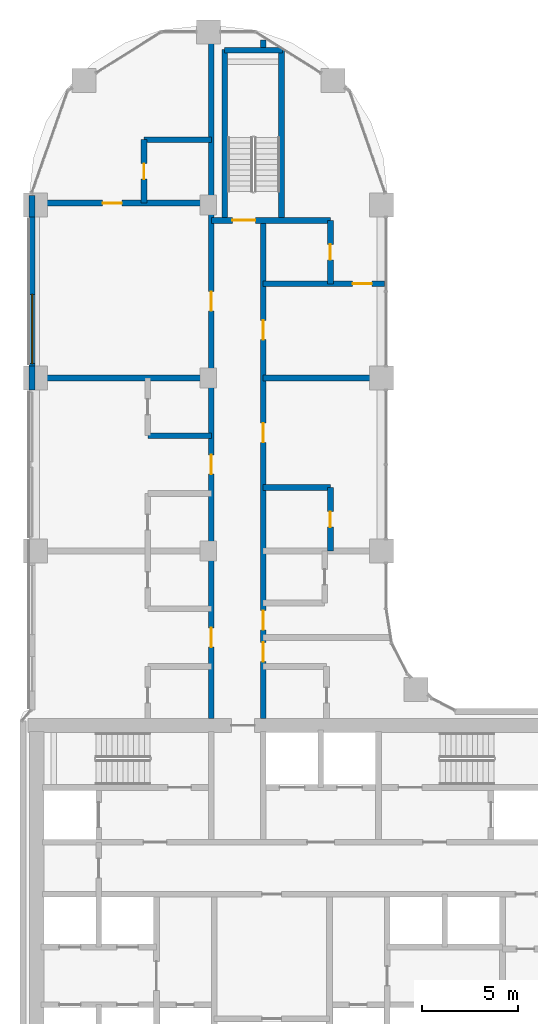
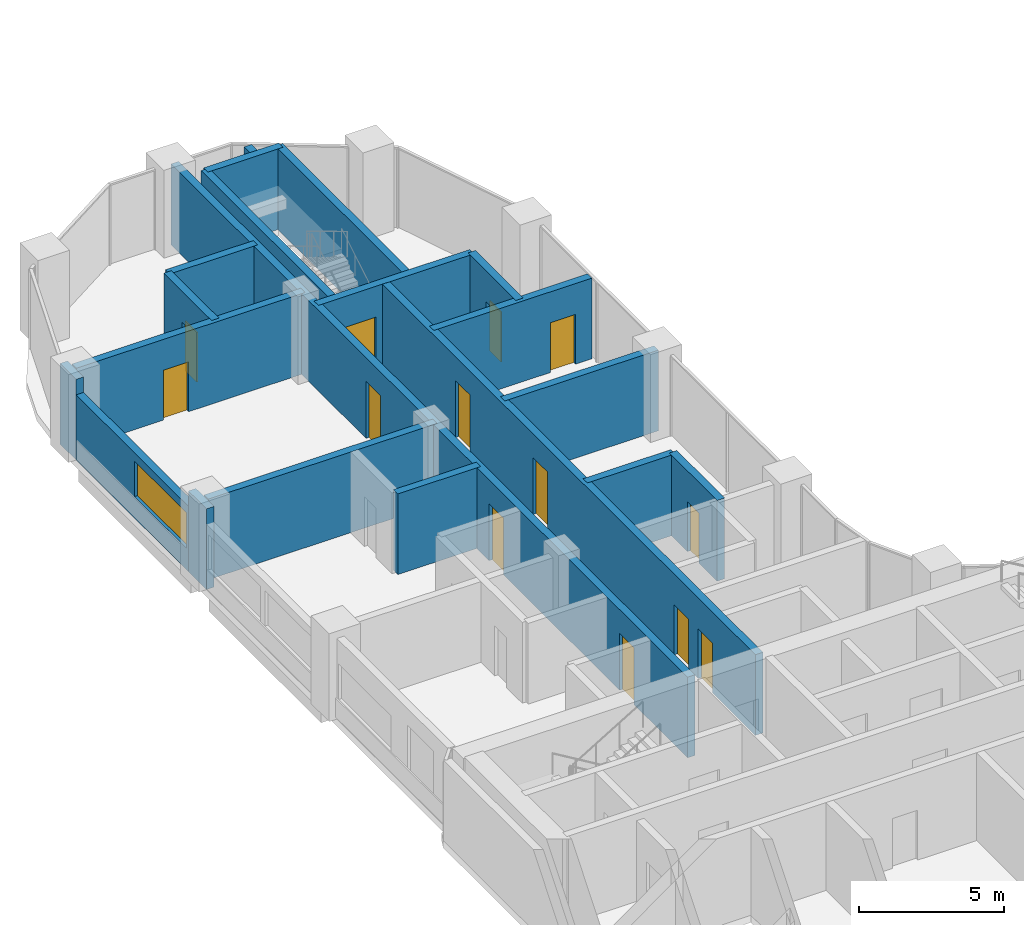
# One storey, part 22 of 33: 20 walls, 13 doors, 1 window, 14 openings.
"""IFC4 building model written with IfcOpenShell, lengths in metres."""

from ifc_helpers import new_model, si_unit, direction, frame, frame_2d, origin, place, context, subcontext, project, spatial, rectangle, extrude, material, layer, layer_set, type_object, element, fill, save


model = new_model("IFC4")

# Units and contexts
model_context = context("Model", 3, precision=1e-05, world=origin(), true_north=direction((0.0, 1.0)))
body_context = subcontext(model_context, "Body", "Model", "MODEL_VIEW")
ifc_project = project(units=[si_unit("LENGTHUNIT", "METRE"), si_unit("AREAUNIT", "SQUARE_METRE"), si_unit("VOLUMEUNIT", "CUBIC_METRE"), si_unit("PLANEANGLEUNIT", "RADIAN"), si_unit("MASSUNIT", "GRAM", prefix="KILO")], contexts=[model_context])

# Site, building, storey
site_placement = place(None, origin())
site = spatial("IfcSite", under=ifc_project, at=site_placement, CompositionType="ELEMENT")
building_placement = place(site_placement, origin())
building = spatial("IfcBuilding", under=site, at=building_placement, Name="Ogive Portal Towers", CompositionType="ELEMENT")
storey_placement = place(building_placement, frame((0.0, 0.0, 101.89990234375)))
storey = spatial("IfcBuildingStorey", under=building, at=storey_placement, Name="L24", CompositionType="ELEMENT", Elevation=101.89990234375)

# Wall
ifc_material_1 = material(Name="Limestone cladding on lightweight block wall", Category="masonry")
ifc_layer_1 = layer(ifc_material_1, 0.300048828125)
ifc_layer_set_1 = layer_set([ifc_layer_1], Name="EXTERNAL WALL 300 STONE")
wall_type_1 = type_object("IfcWallType", Name="EXTERNAL WALL 300 STONE", PredefinedType="SOLIDWALL", material=ifc_layer_set_1)
wall_1_placement = place(storey_placement, frame((31.330078125, 66.986328125, 0.0), z_axis=(0.0, 0.0, 1.0), x_axis=(0.0, -1.0, 0.0)))
element("IfcWall", 1, at=wall_1_placement, inside=storey, type_object=wall_type_1, Name="A:L24:f12:r0:wall", PredefinedType="SOLIDWALL", context=body_context, shape_type="SweptSolid", body=[
    extrude(rectangle(XDim=1.111328125, YDim=0.300048828125, at=frame_2d((0.5556640625, 0.0))), origin(), (0.0, 0.0, 1.0), 3.400146484375),
])

# Wall, opening, window
wall_2_placement = place(storey_placement, frame((31.330078125, 65.875, 0.0), z_axis=(0.0, 0.0, 1.0), x_axis=(0.0, -1.0, 0.0)))
wall_2 = element("IfcWall", 2, at=wall_2_placement, inside=storey, type_object=wall_type_1, Name="A:L24:f12:r0:wall1", PredefinedType="SOLIDWALL", context=body_context, shape_type="SweptSolid", body=[
    extrude(rectangle(XDim=7.75, YDim=0.300048828125, at=frame_2d((3.875, 0.0))), origin(), (0.0, 0.0, 1.0), 2.75),
])
opening_1_placement = place(wall_2_placement, frame((4.02490234375, 0.0, 0.89990234375)))
opening_1 = element("IfcOpeningElement", 3, at=opening_1_placement, cuts=wall_2, Name="Opening WN12", PredefinedType="OPENING", context=body_context, shape_type="SweptSolid", body=[
    extrude(rectangle(XDim=3.60009765625, YDim=1.5, at=frame_2d((1.800048828125, 0.75))), frame((0.0, 0.16015625, 0.0), z_axis=(0.0, -1.0, 0.0), x_axis=(1.0, 0.0, 0.0)), (0.0, 0.0, 1.0), 0.320068359375),
])
ifc_material_2 = material(Name="Glass, clear low-iron insulated glazing", Category="glass")
window_type = type_object("IfcWindowType", Name="WINDOW RIBBON 3600x1500", PartitioningType="TRIPLE_PANEL_VERTICAL", PredefinedType="WINDOW", material=ifc_material_2)
window_placement = place(opening_1_placement, origin())
window = element("IfcWindow", 4, at=window_placement, inside=storey, type_object=window_type, Name="A:L24:f12:r0:w1", OverallHeight=1.5, OverallWidth=3.60009765625, PartitioningType="SINGLE_PANEL", PredefinedType="WINDOW", context=body_context, shape_type="SweptSolid", body=[
    extrude(rectangle(XDim=3.60009765625, YDim=1.5, at=frame_2d((1.800048828125, 0.75))), frame((0.0, 0.030029296875, 0.0), z_axis=(0.0, -1.0, 0.0), x_axis=(1.0, 0.0, 0.0)), (0.0, 0.0, 1.0), 0.06005859375),
])
fill(opening_1, window)

# Wall
wall_3_placement = place(storey_placement, frame((31.330078125, 58.125, 0.0), z_axis=(0.0, 0.0, 1.0), x_axis=(0.0, -1.0, 0.0)))
element("IfcWall", 5, at=wall_3_placement, inside=storey, type_object=wall_type_1, Name="A:L24:f12:r0:wall2", PredefinedType="SOLIDWALL", context=body_context, shape_type="SweptSolid", body=[
    extrude(rectangle(XDim=1.25, YDim=0.300048828125, at=frame_2d((0.625, 0.0))), origin(), (0.0, 0.0, 1.0), 3.400146484375),
])

# Wall, opening, door
ifc_material_3 = material(Name="Concrete C50/60", Category="concrete")
ifc_layer_2 = layer(ifc_material_3, 0.300048828125)
ifc_layer_set_2 = layer_set([ifc_layer_2], Name="STAIR WALL 300 C50")
wall_type_2 = type_object("IfcWallType", Name="STAIR WALL 300 C50", PredefinedType="SHEAR", material=ifc_layer_set_2)
wall_4_placement = place(storey_placement, frame((40.64990234375, 65.699951171875, 0.0), z_axis=(0.0, 0.0, 1.0), x_axis=(1.0, 0.0, 0.0)))
wall_4 = element("IfcWall", 6, at=wall_4_placement, inside=storey, type_object=wall_type_2, Name="Stair wall ST-A3 L24", PredefinedType="SHEAR", context=body_context, shape_type="SweptSolid", body=[
    extrude(rectangle(XDim=6.2001953125, YDim=0.300048828125, at=frame_2d((3.10009765625, 0.0))), origin(), (0.0, 0.0, 1.0), 3.400146484375),
])
opening_2_placement = place(wall_4_placement, frame((1.10009765625, 0.0, 0.0)))
opening_2 = element("IfcOpeningElement", 7, at=opening_2_placement, cuts=wall_4, Name="Opening D08-063", PredefinedType="OPENING", context=body_context, shape_type="SweptSolid", body=[
    extrude(rectangle(XDim=1.199951171875, YDim=2.10009765625, at=frame_2d((0.60009765625, 1.050048828125))), frame((0.0, 0.16015625, 0.0), z_axis=(0.0, -1.0, 0.0), x_axis=(1.0, 0.0, 0.0)), (0.0, 0.0, 1.0), 0.320068359375),
])
ifc_material_4 = material(Name="Steel fire door", Category="steel")
door_type_1 = type_object("IfcDoorType", Name="DT-STAIR-1200x2100-FD90S", OperationType="SINGLE_SWING_LEFT", PredefinedType="DOOR", material=ifc_material_4)
door_1_placement = place(opening_2_placement, origin())
door_1 = element("IfcDoor", 8, at=door_1_placement, inside=storey, type_object=door_type_1, Name="Door D08-063", OperationType="SINGLE_SWING_RIGHT", OverallHeight=2.10009765625, OverallWidth=1.199951171875, PredefinedType="DOOR", context=body_context, shape_type="SweptSolid", body=[
    extrude(rectangle(XDim=1.199951171875, YDim=2.10009765625, at=frame_2d((0.60009765625, 1.050048828125))), frame((0.0, 0.02490234375, 0.0), z_axis=(0.0, -1.0, 0.0), x_axis=(1.0, 0.0, 0.0)), (0.0, 0.0, 1.0), 0.050048828125),
])
fill(opening_2, door_1)

# Walls
wall_5_placement = place(storey_placement, frame((41.35009765625, 74.550048828125, 0.0), z_axis=(0.0, 0.0, 1.0), x_axis=(1.0, 0.0, 0.0)))
element("IfcWall", 9, at=wall_5_placement, inside=storey, type_object=wall_type_2, Name="Stair wall ST-A3 L24", PredefinedType="SHEAR", context=body_context, shape_type="SweptSolid", body=[
    extrude(rectangle(XDim=3.0, YDim=0.300048828125, at=frame_2d((1.5, 0.0))), origin(), (0.0, 0.0, 1.0), 3.400146484375),
])
wall_6_placement = place(storey_placement, frame((41.35009765625, 65.75, 0.0), z_axis=(0.0, 0.0, 1.0), x_axis=(0.0, 1.0, 0.0)))
element("IfcWall", 10, at=wall_6_placement, inside=storey, type_object=wall_type_2, Name="Stair wall ST-A3 L24", PredefinedType="SHEAR", context=body_context, shape_type="SweptSolid", body=[
    extrude(rectangle(XDim=8.85009765625, YDim=0.300048828125, at=frame_2d((4.425048828125, 0.0))), origin(), (0.0, 0.0, 1.0), 3.400146484375),
])
wall_7_placement = place(storey_placement, frame((44.300048828125, 65.699951171875, 0.0), z_axis=(0.0, 0.0, 1.0), x_axis=(0.0, 1.0, 0.0)))
element("IfcWall", 11, at=wall_7_placement, inside=storey, type_object=wall_type_2, Name="Stair wall ST-A3 L24", PredefinedType="SHEAR", context=body_context, shape_type="SweptSolid", body=[
    extrude(rectangle(XDim=8.900146484375, YDim=0.300048828125, at=frame_2d((4.4501953125, 0.0))), origin(), (0.0, 0.0, 1.0), 3.400146484375),
])
ifc_material_5 = material(Name="Gypsum board partition on steel studs", Category="steel")
ifc_layer_3 = layer(ifc_material_5, 0.300048828125)
ifc_layer_set_3 = layer_set([ifc_layer_3], Name="WT-PART-300-EI 60")
wall_type_3 = type_object("IfcWallType", Name="WT-PART-300-EI 60", PredefinedType="PARTITIONING", material=ifc_layer_set_3)
wall_8_placement = place(storey_placement, frame((43.35009765625, 51.800048828125, 0.0), z_axis=(0.0, 0.0, 1.0), x_axis=(1.0, 0.0, 0.0)))
element("IfcWall", 12, at=wall_8_placement, inside=storey, type_object=wall_type_3, Name="Wall L24:w021", PredefinedType="PARTITIONING", context=body_context, shape_type="SweptSolid", body=[
    extrude(rectangle(XDim=3.5, YDim=0.300048828125, at=frame_2d((1.75, 0.0))), origin(), (0.0, 0.0, 1.0), 3.400146484375),
])
wall_9_placement = place(storey_placement, frame((37.35009765625, 54.5, 0.0), z_axis=(0.0, 0.0, 1.0), x_axis=(1.0, 0.0, 0.0)))
element("IfcWall", 13, at=wall_9_placement, inside=storey, type_object=wall_type_3, Name="Wall L24:w022", PredefinedType="PARTITIONING", context=body_context, shape_type="SweptSolid", body=[
    extrude(rectangle(XDim=3.2998046875, YDim=0.300048828125, at=frame_2d((1.64990234375, 0.0))), origin(), (0.0, 0.0, 1.0), 3.400146484375),
])
wall_10_placement = place(storey_placement, frame((31.530029296875, 57.5, 0.0), z_axis=(0.0, 0.0, 1.0), x_axis=(1.0, 0.0, 0.0)))
element("IfcWall", 14, at=wall_10_placement, inside=storey, type_object=wall_type_3, Name="Wall L24:w023", PredefinedType="PARTITIONING", context=body_context, shape_type="SweptSolid", body=[
    extrude(rectangle(XDim=9.119873046875, YDim=0.300048828125, at=frame_2d((4.56005859375, 0.0))), origin(), (0.0, 0.0, 1.0), 3.400146484375),
])
wall_11_placement = place(storey_placement, frame((43.35009765625, 57.5, 0.0), z_axis=(0.0, 0.0, 1.0), x_axis=(1.0, 0.0, 0.0)))
element("IfcWall", 15, at=wall_11_placement, inside=storey, type_object=wall_type_3, Name="Wall L24:w024", PredefinedType="PARTITIONING", context=body_context, shape_type="SweptSolid", body=[
    extrude(rectangle(XDim=6.119873046875, YDim=0.300048828125, at=frame_2d((3.06005859375, 0.0))), origin(), (0.0, 0.0, 1.0), 3.400146484375),
])

# Wall, opening, door
wall_12_placement = place(storey_placement, frame((43.35009765625, 62.39990234375, 0.0), z_axis=(0.0, 0.0, 1.0), x_axis=(1.0, 0.0, 0.0)))
wall_12 = element("IfcWall", 16, at=wall_12_placement, inside=storey, type_object=wall_type_3, Name="Wall L24:w025", PredefinedType="PARTITIONING", context=body_context, shape_type="SweptSolid", body=[
    extrude(rectangle(XDim=6.2998046875, YDim=0.300048828125, at=frame_2d((3.14990234375, 0.0))), origin(), (0.0, 0.0, 1.0), 3.400146484375),
])
opening_3_placement = place(wall_12_placement, frame((4.64990234375, 0.0, 0.0)))
opening_3 = element("IfcOpeningElement", 17, at=opening_3_placement, cuts=wall_12, Name="Opening D08-054", PredefinedType="OPENING", context=body_context, shape_type="SweptSolid", body=[
    extrude(rectangle(XDim=1.0, YDim=2.10009765625, at=frame_2d((0.5, 1.050048828125))), frame((0.0, 0.16015625, 0.0), z_axis=(0.0, -1.0, 0.0), x_axis=(1.0, 0.0, 0.0)), (0.0, 0.0, 1.0), 0.320068359375),
])
door_type_2 = type_object("IfcDoorType", Name="DT-ENTRY-1000x2100-FD60S", OperationType="SINGLE_SWING_LEFT", PredefinedType="DOOR", material=ifc_material_4)
door_2_placement = place(opening_3_placement, origin())
door_2 = element("IfcDoor", 18, at=door_2_placement, inside=storey, type_object=door_type_2, Name="Door D08-054", OperationType="SINGLE_SWING_RIGHT", OverallHeight=2.10009765625, OverallWidth=1.0, PredefinedType="DOOR", context=body_context, shape_type="SweptSolid", body=[
    extrude(rectangle(XDim=1.0, YDim=2.10009765625, at=frame_2d((0.5, 1.050048828125))), frame((0.0, 0.02490234375, 0.0), z_axis=(0.0, -1.0, 0.0), x_axis=(1.0, 0.0, 0.0)), (0.0, 0.0, 1.0), 0.050048828125),
])
fill(opening_3, door_2)

wall_13_placement = place(storey_placement, frame((31.530029296875, 66.60009765625, 0.0), z_axis=(0.0, 0.0, 1.0), x_axis=(1.0, 0.0, 0.0)))
wall_13 = element("IfcWall", 19, at=wall_13_placement, inside=storey, type_object=wall_type_3, Name="Wall L24:w027", PredefinedType="PARTITIONING", context=body_context, shape_type="SweptSolid", body=[
    extrude(rectangle(XDim=9.119873046875, YDim=0.300048828125, at=frame_2d((4.56005859375, 0.0))), origin(), (0.0, 0.0, 1.0), 3.400146484375),
])
opening_4_placement = place(wall_13_placement, frame((3.469970703125, 0.0, 0.0)))
opening_4 = element("IfcOpeningElement", 20, at=opening_4_placement, cuts=wall_13, Name="Opening D08-057", PredefinedType="OPENING", context=body_context, shape_type="SweptSolid", body=[
    extrude(rectangle(XDim=1.0, YDim=2.10009765625, at=frame_2d((0.5, 1.050048828125))), frame((0.0, 0.16015625, 0.0), z_axis=(0.0, -1.0, 0.0), x_axis=(1.0, 0.0, 0.0)), (0.0, 0.0, 1.0), 0.320068359375),
])
door_3_placement = place(opening_4_placement, origin())
door_3 = element("IfcDoor", 21, at=door_3_placement, inside=storey, type_object=door_type_2, Name="Door D08-057", OperationType="SINGLE_SWING_RIGHT", OverallHeight=2.10009765625, OverallWidth=1.0, PredefinedType="DOOR", context=body_context, shape_type="SweptSolid", body=[
    extrude(rectangle(XDim=1.0, YDim=2.10009765625, at=frame_2d((0.5, 1.050048828125))), frame((0.0, 0.02490234375, 0.0), z_axis=(0.0, -1.0, 0.0), x_axis=(1.0, 0.0, 0.0)), (0.0, 0.0, 1.0), 0.050048828125),
])
fill(opening_4, door_3)

# Wall
wall_14_placement = place(storey_placement, frame((37.14990234375, 69.89990234375, 0.0), z_axis=(0.0, 0.0, 1.0), x_axis=(1.0, 0.0, 0.0)))
element("IfcWall", 22, at=wall_14_placement, inside=storey, type_object=wall_type_3, Name="Wall L24:w028", PredefinedType="PARTITIONING", context=body_context, shape_type="SweptSolid", body=[
    extrude(rectangle(XDim=3.5, YDim=0.300048828125, at=frame_2d((1.75, 0.0))), origin(), (0.0, 0.0, 1.0), 3.400146484375),
])

# Wall, opening, door
wall_15_placement = place(storey_placement, frame((37.14990234375, 66.60009765625, 0.0), z_axis=(0.0, 0.0, 1.0), x_axis=(0.0, 1.0, 0.0)))
wall_15 = element("IfcWall", 23, at=wall_15_placement, inside=storey, type_object=wall_type_3, Name="Wall L24:w030", PredefinedType="PARTITIONING", context=body_context, shape_type="SweptSolid", body=[
    extrude(rectangle(XDim=3.2998046875, YDim=0.300048828125, at=frame_2d((1.64990234375, 0.0))), origin(), (0.0, 0.0, 1.0), 3.400146484375),
])
opening_5_placement = place(wall_15_placement, frame((1.25, 0.0, 0.0)))
opening_5 = element("IfcOpeningElement", 24, at=opening_5_placement, cuts=wall_15, Name="Opening D08-058", PredefinedType="OPENING", context=body_context, shape_type="SweptSolid", body=[
    extrude(rectangle(XDim=0.800048828125, YDim=2.10009765625, at=frame_2d((0.39990234375, 1.050048828125))), frame((0.0, 0.16015625, 0.0), z_axis=(0.0, -1.0, 0.0), x_axis=(1.0, 0.0, 0.0)), (0.0, 0.0, 1.0), 0.320068359375),
])
door_type_3 = type_object("IfcDoorType", Name="DT-BATH-800x2100-FD60S", OperationType="SINGLE_SWING_LEFT", PredefinedType="DOOR", material=ifc_material_4)
door_4_placement = place(opening_5_placement, origin())
door_4 = element("IfcDoor", 25, at=door_4_placement, inside=storey, type_object=door_type_3, Name="Door D08-058", OperationType="SINGLE_SWING_LEFT", OverallHeight=2.10009765625, OverallWidth=0.800048828125, PredefinedType="DOOR", context=body_context, shape_type="SweptSolid", body=[
    extrude(rectangle(XDim=0.800048828125, YDim=2.10009765625, at=frame_2d((0.39990234375, 1.050048828125))), frame((0.0, 0.02490234375, 0.0), z_axis=(0.0, -1.0, 0.0), x_axis=(1.0, 0.0, 0.0)), (0.0, 0.0, 1.0), 0.050048828125),
])
fill(opening_5, door_4)

# Wall, openings, doors
wall_16_placement = place(storey_placement, frame((40.64990234375, 39.800048828125, 0.0), z_axis=(0.0, 0.0, 1.0), x_axis=(0.0, 1.0, 0.0)))
wall_16 = element("IfcWall", 26, at=wall_16_placement, inside=storey, type_object=wall_type_3, Name="Wall L24:w034", PredefinedType="PARTITIONING", context=body_context, shape_type="SweptSolid", body=[
    extrude(rectangle(XDim=35.669921875, YDim=0.300048828125, at=frame_2d((17.8349609375, 0.0))), origin(), (0.0, 0.0, 1.0), 3.400146484375),
])
opening_6_placement = place(wall_16_placement, frame((3.699951171875, 0.0, 0.0)))
opening_6 = element("IfcOpeningElement", 27, at=opening_6_placement, cuts=wall_16, Name="Opening D08-047", PredefinedType="OPENING", context=body_context, shape_type="SweptSolid", body=[
    extrude(rectangle(XDim=1.0, YDim=2.39990234375, at=frame_2d((0.5, 1.199951171875))), frame((0.0, 0.16015625, 0.0), z_axis=(0.0, -1.0, 0.0), x_axis=(1.0, 0.0, 0.0)), (0.0, 0.0, 1.0), 0.320068359375),
])
opening_7_placement = place(wall_16_placement, frame((12.699951171875, 0.0, 0.0)))
opening_7 = element("IfcOpeningElement", 28, at=opening_7_placement, cuts=wall_16, Name="Opening D08-052", PredefinedType="OPENING", context=body_context, shape_type="SweptSolid", body=[
    extrude(rectangle(XDim=1.0, YDim=2.39990234375, at=frame_2d((0.5, 1.199951171875))), frame((0.0, 0.16015625, 0.0), z_axis=(0.0, -1.0, 0.0), x_axis=(1.0, 0.0, 0.0)), (0.0, 0.0, 1.0), 0.320068359375),
])
opening_8_placement = place(wall_16_placement, frame((21.199951171875, 0.0, 0.0)))
opening_8 = element("IfcOpeningElement", 29, at=opening_8_placement, cuts=wall_16, Name="Opening D08-056", PredefinedType="OPENING", context=body_context, shape_type="SweptSolid", body=[
    extrude(rectangle(XDim=1.0, YDim=2.39990234375, at=frame_2d((0.5, 1.199951171875))), frame((0.0, 0.16015625, 0.0), z_axis=(0.0, -1.0, 0.0), x_axis=(1.0, 0.0, 0.0)), (0.0, 0.0, 1.0), 0.320068359375),
])
door_type_4 = type_object("IfcDoorType", Name="DT-ENTRY-1000x2400-FD60S", OperationType="SINGLE_SWING_LEFT", PredefinedType="DOOR", material=ifc_material_4)
door_5_placement = place(opening_6_placement, origin())
door_5 = element("IfcDoor", 30, at=door_5_placement, inside=storey, type_object=door_type_4, Name="Door D08-047", OperationType="SINGLE_SWING_RIGHT", OverallHeight=2.39990234375, OverallWidth=1.0, PredefinedType="DOOR", context=body_context, shape_type="SweptSolid", body=[
    extrude(rectangle(XDim=1.0, YDim=2.39990234375, at=frame_2d((0.5, 1.199951171875))), frame((0.0, 0.02490234375, 0.0), z_axis=(0.0, -1.0, 0.0), x_axis=(1.0, 0.0, 0.0)), (0.0, 0.0, 1.0), 0.050048828125),
])
fill(opening_6, door_5)
door_6_placement = place(opening_7_placement, origin())
door_6 = element("IfcDoor", 31, at=door_6_placement, inside=storey, type_object=door_type_4, Name="Door D08-052", OperationType="SINGLE_SWING_LEFT", OverallHeight=2.39990234375, OverallWidth=1.0, PredefinedType="DOOR", context=body_context, shape_type="SweptSolid", body=[
    extrude(rectangle(XDim=1.0, YDim=2.39990234375, at=frame_2d((0.5, 1.199951171875))), frame((0.0, 0.02490234375, 0.0), z_axis=(0.0, -1.0, 0.0), x_axis=(1.0, 0.0, 0.0)), (0.0, 0.0, 1.0), 0.050048828125),
])
fill(opening_7, door_6)
door_7_placement = place(opening_8_placement, origin())
door_7 = element("IfcDoor", 32, at=door_7_placement, inside=storey, type_object=door_type_4, Name="Door D08-056", OperationType="SINGLE_SWING_LEFT", OverallHeight=2.39990234375, OverallWidth=1.0, PredefinedType="DOOR", context=body_context, shape_type="SweptSolid", body=[
    extrude(rectangle(XDim=1.0, YDim=2.39990234375, at=frame_2d((0.5, 1.199951171875))), frame((0.0, 0.02490234375, 0.0), z_axis=(0.0, -1.0, 0.0), x_axis=(1.0, 0.0, 0.0)), (0.0, 0.0, 1.0), 0.050048828125),
])
fill(opening_8, door_7)

# Wall, opening, door
wall_17_placement = place(storey_placement, frame((46.85009765625, 48.5, 0.0), z_axis=(0.0, 0.0, 1.0), x_axis=(0.0, 1.0, 0.0)))
wall_17 = element("IfcWall", 33, at=wall_17_placement, inside=storey, type_object=wall_type_3, Name="Wall L24:w041", PredefinedType="PARTITIONING", context=body_context, shape_type="SweptSolid", body=[
    extrude(rectangle(XDim=3.300048828125, YDim=0.300048828125, at=frame_2d((1.64990234375, 0.0))), origin(), (0.0, 0.0, 1.0), 3.400146484375),
])
opening_9_placement = place(wall_17_placement, frame((1.25, 0.0, 0.0)))
opening_9 = element("IfcOpeningElement", 34, at=opening_9_placement, cuts=wall_17, Name="Opening D08-048", PredefinedType="OPENING", context=body_context, shape_type="SweptSolid", body=[
    extrude(rectangle(XDim=0.800048828125, YDim=2.10009765625, at=frame_2d((0.39990234375, 1.050048828125))), frame((0.0, 0.16015625, 0.0), z_axis=(0.0, -1.0, 0.0), x_axis=(1.0, 0.0, 0.0)), (0.0, 0.0, 1.0), 0.320068359375),
])
door_8_placement = place(opening_9_placement, origin())
door_8 = element("IfcDoor", 35, at=door_8_placement, inside=storey, type_object=door_type_3, Name="Door D08-048", OperationType="SINGLE_SWING_LEFT", OverallHeight=2.10009765625, OverallWidth=0.800048828125, PredefinedType="DOOR", context=body_context, shape_type="SweptSolid", body=[
    extrude(rectangle(XDim=0.800048828125, YDim=2.10009765625, at=frame_2d((0.39990234375, 1.050048828125))), frame((0.0, 0.02490234375, 0.0), z_axis=(0.0, -1.0, 0.0), x_axis=(1.0, 0.0, 0.0)), (0.0, 0.0, 1.0), 0.050048828125),
])
fill(opening_9, door_8)

wall_18_placement = place(storey_placement, frame((46.85009765625, 62.39990234375, 0.0), z_axis=(0.0, 0.0, 1.0), x_axis=(0.0, 1.0, 0.0)))
wall_18 = element("IfcWall", 36, at=wall_18_placement, inside=storey, type_object=wall_type_3, Name="Wall L24:w042", PredefinedType="PARTITIONING", context=body_context, shape_type="SweptSolid", body=[
    extrude(rectangle(XDim=3.300048828125, YDim=0.300048828125, at=frame_2d((1.64990234375, 0.0))), origin(), (0.0, 0.0, 1.0), 3.400146484375),
])
opening_10_placement = place(wall_18_placement, frame((1.25, 0.0, 0.0)))
opening_10 = element("IfcOpeningElement", 37, at=opening_10_placement, cuts=wall_18, Name="Opening D08-055", PredefinedType="OPENING", context=body_context, shape_type="SweptSolid", body=[
    extrude(rectangle(XDim=0.800048828125, YDim=2.10009765625, at=frame_2d((0.39990234375, 1.050048828125))), frame((0.0, 0.16015625, 0.0), z_axis=(0.0, -1.0, 0.0), x_axis=(1.0, 0.0, 0.0)), (0.0, 0.0, 1.0), 0.320068359375),
])
door_9_placement = place(opening_10_placement, origin())
door_9 = element("IfcDoor", 38, at=door_9_placement, inside=storey, type_object=door_type_3, Name="Door D08-055", OperationType="SINGLE_SWING_LEFT", OverallHeight=2.10009765625, OverallWidth=0.800048828125, PredefinedType="DOOR", context=body_context, shape_type="SweptSolid", body=[
    extrude(rectangle(XDim=0.800048828125, YDim=2.10009765625, at=frame_2d((0.39990234375, 1.050048828125))), frame((0.0, 0.02490234375, 0.0), z_axis=(0.0, -1.0, 0.0), x_axis=(1.0, 0.0, 0.0)), (0.0, 0.0, 1.0), 0.050048828125),
])
fill(opening_10, door_9)

# Wall, openings, doors
ifc_material_6 = material(Name="Concrete C40/50", Category="concrete")
ifc_layer_4 = layer(ifc_material_6, 0.300048828125)
ifc_layer_set_4 = layer_set([ifc_layer_4], Name="WT-SHAFT-300")
wall_type_4 = type_object("IfcWallType", Name="WT-SHAFT-300", PredefinedType="SOLIDWALL", material=ifc_layer_set_4)
wall_19_placement = place(storey_placement, frame((43.35009765625, 39.800048828125, 0.0), z_axis=(0.0, 0.0, 1.0), x_axis=(0.0, 1.0, 0.0)))
wall_19 = element("IfcWall", 39, at=wall_19_placement, inside=storey, type_object=wall_type_4, Name="Wall L24:w036", PredefinedType="SOLIDWALL", context=body_context, shape_type="SweptSolid", body=[
    extrude(rectangle(XDim=25.949951171875, YDim=0.300048828125, at=frame_2d((12.97509765625, 0.0))), origin(), (0.0, 0.0, 1.0), 3.400146484375),
])
opening_11_placement = place(wall_19_placement, frame((2.949951171875, 0.0, 0.0)))
opening_11 = element("IfcOpeningElement", 40, at=opening_11_placement, cuts=wall_19, Name="Opening D08-042", PredefinedType="OPENING", context=body_context, shape_type="SweptSolid", body=[
    extrude(rectangle(XDim=1.0, YDim=2.10009765625, at=frame_2d((0.5, 1.050048828125))), frame((0.0, 0.16015625, 0.0), z_axis=(0.0, -1.0, 0.0), x_axis=(1.0, 0.0, 0.0)), (0.0, 0.0, 1.0), 0.320068359375),
])
opening_12_placement = place(wall_19_placement, frame((4.60009765625, 0.0, 0.0)))
opening_12 = element("IfcOpeningElement", 41, at=opening_12_placement, cuts=wall_19, Name="Opening D08-044", PredefinedType="OPENING", context=body_context, shape_type="SweptSolid", body=[
    extrude(rectangle(XDim=1.0, YDim=2.10009765625, at=frame_2d((0.5, 1.050048828125))), frame((0.0, 0.16015625, 0.0), z_axis=(0.0, -1.0, 0.0), x_axis=(1.0, 0.0, 0.0)), (0.0, 0.0, 1.0), 0.320068359375),
])
opening_13_placement = place(wall_19_placement, frame((14.35009765625, 0.0, 0.0)))
opening_13 = element("IfcOpeningElement", 42, at=opening_13_placement, cuts=wall_19, Name="Opening D08-049", PredefinedType="OPENING", context=body_context, shape_type="SweptSolid", body=[
    extrude(rectangle(XDim=1.0, YDim=2.39990234375, at=frame_2d((0.5, 1.199951171875))), frame((0.0, 0.16015625, 0.0), z_axis=(0.0, -1.0, 0.0), x_axis=(1.0, 0.0, 0.0)), (0.0, 0.0, 1.0), 0.320068359375),
])
opening_14_placement = place(wall_19_placement, frame((19.699951171875, 0.0, 0.0)))
opening_14 = element("IfcOpeningElement", 43, at=opening_14_placement, cuts=wall_19, Name="Opening D08-053", PredefinedType="OPENING", context=body_context, shape_type="SweptSolid", body=[
    extrude(rectangle(XDim=1.0, YDim=2.39990234375, at=frame_2d((0.5, 1.199951171875))), frame((0.0, 0.16015625, 0.0), z_axis=(0.0, -1.0, 0.0), x_axis=(1.0, 0.0, 0.0)), (0.0, 0.0, 1.0), 0.320068359375),
])
door_type_5 = type_object("IfcDoorType", Name="DT-ENTRY-1000x2100-FD90S", OperationType="SINGLE_SWING_LEFT", PredefinedType="DOOR", material=ifc_material_4)
door_10_placement = place(opening_11_placement, origin())
door_10 = element("IfcDoor", 44, at=door_10_placement, inside=storey, type_object=door_type_5, Name="Door D08-042", OperationType="SINGLE_SWING_LEFT", OverallHeight=2.10009765625, OverallWidth=1.0, PredefinedType="DOOR", context=body_context, shape_type="SweptSolid", body=[
    extrude(rectangle(XDim=1.0, YDim=2.10009765625, at=frame_2d((0.5, 1.050048828125))), frame((0.0, 0.02490234375, 0.0), z_axis=(0.0, -1.0, 0.0), x_axis=(1.0, 0.0, 0.0)), (0.0, 0.0, 1.0), 0.050048828125),
])
fill(opening_11, door_10)
door_11_placement = place(opening_12_placement, origin())
door_11 = element("IfcDoor", 45, at=door_11_placement, inside=storey, type_object=door_type_5, Name="Door D08-044", OperationType="SINGLE_SWING_LEFT", OverallHeight=2.10009765625, OverallWidth=1.0, PredefinedType="DOOR", context=body_context, shape_type="SweptSolid", body=[
    extrude(rectangle(XDim=1.0, YDim=2.10009765625, at=frame_2d((0.5, 1.050048828125))), frame((0.0, 0.02490234375, 0.0), z_axis=(0.0, -1.0, 0.0), x_axis=(1.0, 0.0, 0.0)), (0.0, 0.0, 1.0), 0.050048828125),
])
fill(opening_12, door_11)
door_type_6 = type_object("IfcDoorType", Name="DT-ENTRY-1000x2400-FD90S", OperationType="SINGLE_SWING_LEFT", PredefinedType="DOOR", material=ifc_material_4)
door_12_placement = place(opening_13_placement, origin())
door_12 = element("IfcDoor", 46, at=door_12_placement, inside=storey, type_object=door_type_6, Name="Door D08-049", OperationType="SINGLE_SWING_RIGHT", OverallHeight=2.39990234375, OverallWidth=1.0, PredefinedType="DOOR", context=body_context, shape_type="SweptSolid", body=[
    extrude(rectangle(XDim=1.0, YDim=2.39990234375, at=frame_2d((0.5, 1.199951171875))), frame((0.0, 0.02490234375, 0.0), z_axis=(0.0, -1.0, 0.0), x_axis=(1.0, 0.0, 0.0)), (0.0, 0.0, 1.0), 0.050048828125),
])
fill(opening_13, door_12)
door_13_placement = place(opening_14_placement, origin())
door_13 = element("IfcDoor", 47, at=door_13_placement, inside=storey, type_object=door_type_6, Name="Door D08-053", OperationType="SINGLE_SWING_LEFT", OverallHeight=2.39990234375, OverallWidth=1.0, PredefinedType="DOOR", context=body_context, shape_type="SweptSolid", body=[
    extrude(rectangle(XDim=1.0, YDim=2.39990234375, at=frame_2d((0.5, 1.199951171875))), frame((0.0, 0.02490234375, 0.0), z_axis=(0.0, -1.0, 0.0), x_axis=(1.0, 0.0, 0.0)), (0.0, 0.0, 1.0), 0.050048828125),
])
fill(opening_14, door_13)

# Wall
wall_20_placement = place(storey_placement, frame((43.35009765625, 74.698974609375, 0.0), z_axis=(0.0, 0.0, 1.0), x_axis=(0.0, 1.0, 0.0)))
element("IfcWall", 48, at=wall_20_placement, inside=storey, type_object=wall_type_4, Name="Wall L24:w037", PredefinedType="SOLIDWALL", context=body_context, shape_type="SweptSolid", body=[
    extrude(rectangle(XDim=0.39404296875, YDim=0.300048828125, at=frame_2d((0.197021484375, 0.0))), origin(), (0.0, 0.0, 1.0), 3.400146484375),
])

save(model, "model.ifc")
